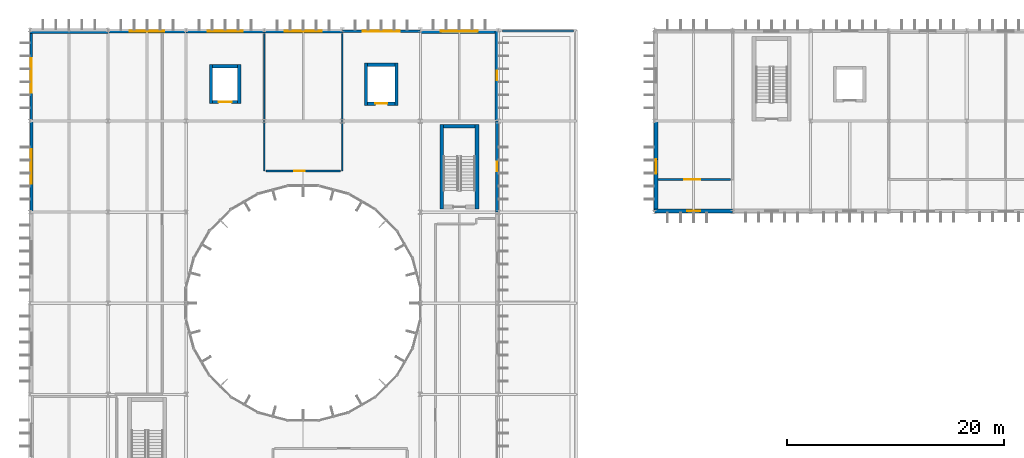
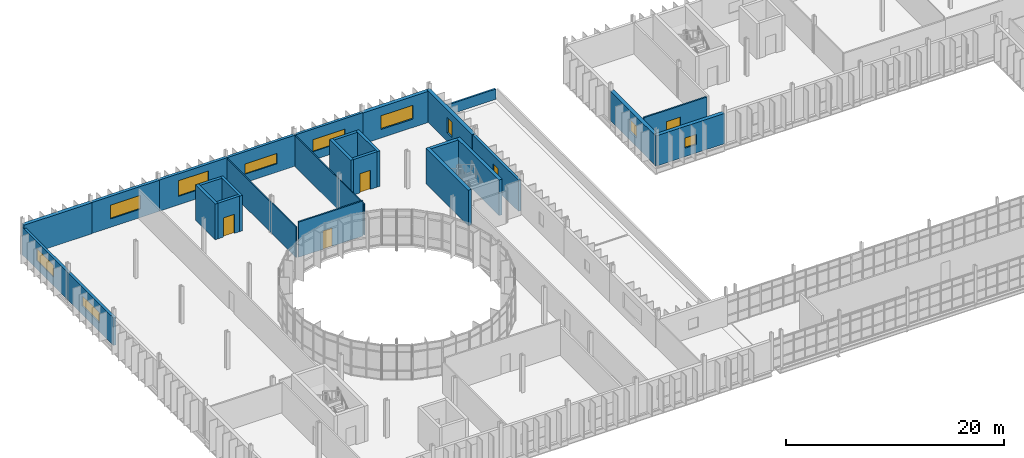
# One storey, part 80 of 99: 28 walls, 11 windows, 4 doors, 15 openings.
"""IFC4 building model written with IfcOpenShell, lengths in metres."""

from ifc_helpers import new_model, si_unit, direction, frame, frame_2d, origin, place, context, subcontext, project, spatial, rectangle, extrude, material, layer, layer_set, type_object, element, fill, save


model = new_model("IFC4")

# Units and contexts
model_context = context("Model", 3, precision=1e-05, world=origin(), true_north=direction((0.0, 1.0)))
body_context = subcontext(model_context, "Body", "Model", "MODEL_VIEW")
ifc_project = project(units=[si_unit("LENGTHUNIT", "METRE"), si_unit("AREAUNIT", "SQUARE_METRE"), si_unit("VOLUMEUNIT", "CUBIC_METRE"), si_unit("PLANEANGLEUNIT", "RADIAN"), si_unit("MASSUNIT", "GRAM", prefix="KILO")], contexts=[model_context])

# Site, building, storey
site_placement = place(None, origin())
site = spatial("IfcSite", under=ifc_project, at=site_placement, CompositionType="ELEMENT")
building_placement = place(site_placement, origin())
building = spatial("IfcBuilding", under=site, at=building_placement, Name="Qelthora Terrace Specialist Clinic", CompositionType="ELEMENT")
storey_placement = place(building_placement, frame((0.0, 0.0, 9.0)))
storey = spatial("IfcBuildingStorey", under=building, at=storey_placement, Name="L02", CompositionType="ELEMENT", Elevation=9.0)

# Walls
ifc_material_1 = material(Name="Concrete C40/50", Category="concrete")
ifc_layer_1 = layer(ifc_material_1, 0.300048828125)
ifc_layer_set_1 = layer_set([ifc_layer_1], Name="Concrete C40/50")
wall_type_1 = type_object("IfcWallType", Name="WAL-CORE-300-C40", PredefinedType="SHEAR", material=ifc_layer_set_1)
for number, where, z_axis, x_axis, name in (
    (1, (31.0, 102.25, 0.0), (0.0, 0.0, 1.0), (0.0, 1.0, 0.0), "Lift SL-02 L02 west shaft wall"),
    (2, (33.800048828125, 102.25, 0.0), (0.0, 0.0, 1.0), (0.0, 1.0, 0.0), "Lift SL-02 L02 east shaft wall"),
):
    element("IfcWall", number, at=place(storey_placement, frame(where, z_axis=z_axis, x_axis=x_axis)), inside=storey, type_object=wall_type_1, Name=name, PredefinedType="SHEAR", context=body_context, shape_type="SweptSolid", body=[
        extrude(rectangle(XDim=3.89990234375, YDim=0.300048828125, at=frame_2d((1.949951171875, 0.0))), origin(), (0.0, 0.0, 1.0), 3.989990234375),
    ])
wall_1_placement = place(storey_placement, frame((31.14990234375, 106.0, 0.0), z_axis=(0.0, 0.0, 1.0), x_axis=(1.0, 0.0, 0.0)))
element("IfcWall", 3, at=wall_1_placement, inside=storey, type_object=wall_type_1, Name="Lift SL-02 L02 north shaft wall", PredefinedType="SHEAR", context=body_context, shape_type="SweptSolid", body=[
    extrude(rectangle(XDim=2.5, YDim=0.300048828125, at=frame_2d((1.25, 0.0))), origin(), (0.0, 0.0, 1.0), 3.989990234375),
])

# Wall, opening, door
wall_2_placement = place(storey_placement, frame((31.14990234375, 102.39990234375, 0.0), z_axis=(0.0, 0.0, 1.0), x_axis=(1.0, 0.0, 0.0)))
wall_2 = element("IfcWall", 4, at=wall_2_placement, inside=storey, type_object=wall_type_1, Name="Lift SL-02 L02 south shaft wall", PredefinedType="SHEAR", context=body_context, shape_type="SweptSolid", body=[
    extrude(rectangle(XDim=2.5, YDim=0.300048828125, at=frame_2d((1.25, 0.0))), origin(), (0.0, 0.0, 1.0), 3.989990234375),
])
opening_1_placement = place(wall_2_placement, frame((0.699951171875, 0.0, 0.0)))
opening_1 = element("IfcOpeningElement", 5, at=opening_1_placement, cuts=wall_2, Name="Opening LD-SL-02-L02", PredefinedType="OPENING", context=body_context, shape_type="SweptSolid", body=[
    extrude(rectangle(XDim=1.10009765625, YDim=2.14990234375, at=frame_2d((0.550048828125, 1.074951171875))), frame((0.0, 0.159912109375, 0.0), z_axis=(0.0, -1.0, 0.0), x_axis=(1.0, 0.0, 0.0)), (0.0, 0.0, 1.0), 0.320068359375),
])
ifc_material_2 = material(Name="Steel S355", Category="steel")
door_type_1 = type_object("IfcDoorType", Name="DOR-LIFT-1100X2150", OperationType="NOTDEFINED", PredefinedType="DOOR", material=ifc_material_2)
door_1_placement = place(opening_1_placement, origin())
door_1 = element("IfcDoor", 6, at=door_1_placement, inside=storey, type_object=door_type_1, Name="Lift landing sliding door LD-SL-02-L02", OperationType="DOUBLE_DOOR_SLIDING", OverallHeight=2.14990234375, OverallWidth=1.10009765625, PredefinedType="DOOR", context=body_context, shape_type="SweptSolid", body=[
    extrude(rectangle(XDim=1.10009765625, YDim=2.14990234375, at=frame_2d((0.550048828125, 1.074951171875))), frame((0.0, 0.02490234375, 0.0), z_axis=(0.0, -1.0, 0.0), x_axis=(1.0, 0.0, 0.0)), (0.0, 0.0, 1.0), 0.050048828125),
])
fill(opening_1, door_1)

# Walls
for number, where, z_axis, x_axis, name in (
    (7, (16.699951171875, 102.39990234375, 0.0), (0.0, 0.0, 1.0), (0.0, 1.0, 0.0), "Lift GL-01 L02 west shaft wall"),
    (8, (19.300048828125, 102.39990234375, 0.0), (0.0, 0.0, 1.0), (0.0, 1.0, 0.0), "Lift GL-01 L02 east shaft wall"),
):
    element("IfcWall", number, at=place(storey_placement, frame(where, z_axis=z_axis, x_axis=x_axis)), inside=storey, type_object=wall_type_1, Name=name, PredefinedType="SHEAR", context=body_context, shape_type="SweptSolid", body=[
        extrude(rectangle(XDim=3.60009765625, YDim=0.300048828125, at=frame_2d((1.800048828125, 0.0))), origin(), (0.0, 0.0, 1.0), 3.989990234375),
    ])
wall_3_placement = place(storey_placement, frame((16.85009765625, 105.85009765625, 0.0), z_axis=(0.0, 0.0, 1.0), x_axis=(1.0, 0.0, 0.0)))
element("IfcWall", 9, at=wall_3_placement, inside=storey, type_object=wall_type_1, Name="Lift GL-01 L02 north shaft wall", PredefinedType="SHEAR", context=body_context, shape_type="SweptSolid", body=[
    extrude(rectangle(XDim=2.2998046875, YDim=0.300048828125, at=frame_2d((1.14990234375, 0.0))), origin(), (0.0, 0.0, 1.0), 3.989990234375),
])

# Wall, opening, door
wall_4_placement = place(storey_placement, frame((16.85009765625, 102.550048828125, 0.0), z_axis=(0.0, 0.0, 1.0), x_axis=(1.0, 0.0, 0.0)))
wall_4 = element("IfcWall", 10, at=wall_4_placement, inside=storey, type_object=wall_type_1, Name="Lift GL-01 L02 south shaft wall", PredefinedType="SHEAR", context=body_context, shape_type="SweptSolid", body=[
    extrude(rectangle(XDim=2.2998046875, YDim=0.300048828125, at=frame_2d((1.14990234375, 0.0))), origin(), (0.0, 0.0, 1.0), 3.989990234375),
])
opening_2_placement = place(wall_4_placement, frame((0.550048828125, 0.0, 0.0)))
opening_2 = element("IfcOpeningElement", 11, at=opening_2_placement, cuts=wall_4, Name="Opening LD-GL-01-L02", PredefinedType="OPENING", context=body_context, shape_type="SweptSolid", body=[
    extrude(rectangle(XDim=1.199951171875, YDim=2.14990234375, at=frame_2d((0.60009765625, 1.074951171875))), frame((0.0, 0.159912109375, 0.0), z_axis=(0.0, -1.0, 0.0), x_axis=(1.0, 0.0, 0.0)), (0.0, 0.0, 1.0), 0.320068359375),
])
door_type_2 = type_object("IfcDoorType", Name="DOR-LIFT-1200X2150", OperationType="NOTDEFINED", PredefinedType="DOOR", material=ifc_material_2)
door_2_placement = place(opening_2_placement, origin())
door_2 = element("IfcDoor", 12, at=door_2_placement, inside=storey, type_object=door_type_2, Name="Lift landing sliding door LD-GL-01-L02", OperationType="DOUBLE_DOOR_SLIDING", OverallHeight=2.14990234375, OverallWidth=1.199951171875, PredefinedType="DOOR", context=body_context, shape_type="SweptSolid", body=[
    extrude(rectangle(XDim=1.199951171875, YDim=2.14990234375, at=frame_2d((0.60009765625, 1.074951171875))), frame((0.0, 0.02490234375, 0.0), z_axis=(0.0, -1.0, 0.0), x_axis=(1.0, 0.0, 0.0)), (0.0, 0.0, 1.0), 0.050048828125),
])
fill(opening_2, door_2)

# Walls
ifc_layer_2 = layer(ifc_material_1, 0.35009765625)
ifc_layer_set_2 = layer_set([ifc_layer_2], Name="Concrete C40/50")
wall_type_2 = type_object("IfcWallType", Name="WAL-CORE-350-C40", PredefinedType="SHEAR", material=ifc_layer_set_2)
for number, where, z_axis, x_axis, name in (
    (13, (37.97509765625, 92.699951171875, 0.0), (0.0, 0.0, 1.0), (0.0, 1.0, 0.0), "ST-02 L02 west shear core wall"),
    (14, (41.22509765625, 92.699951171875, 0.0), (0.0, 0.0, 1.0), (0.0, 1.0, 0.0), "ST-02 L02 east shear core wall"),
):
    element("IfcWall", number, at=place(storey_placement, frame(where, z_axis=z_axis, x_axis=x_axis)), inside=storey, type_object=wall_type_2, Name=name, PredefinedType="SHEAR", context=body_context, shape_type="SweptSolid", body=[
        extrude(rectangle(XDim=7.800048828125, YDim=0.35009765625, at=frame_2d((3.89990234375, 0.0))), origin(), (0.0, 0.0, 1.0), 3.989990234375),
    ])
wall_5_placement = place(storey_placement, frame((38.14990234375, 100.324951171875, 0.0), z_axis=(0.0, 0.0, 1.0), x_axis=(1.0, 0.0, 0.0)))
element("IfcWall", 15, at=wall_5_placement, inside=storey, type_object=wall_type_2, Name="ST-02 L02 north shear core wall", PredefinedType="SHEAR", context=body_context, shape_type="SweptSolid", body=[
    extrude(rectangle(XDim=2.900146484375, YDim=0.35009765625, at=frame_2d((1.4501953125, 0.0))), origin(), (0.0, 0.0, 1.0), 3.989990234375),
])

# Wall, opening, window
ifc_material_3 = material(Name="Precast concrete C40/50", Category="concrete")
ifc_layer_3 = layer(ifc_material_3, 0.260009765625)
ifc_layer_set_3 = layer_set([ifc_layer_3], Name="Precast concrete C40/50")
wall_type_3 = type_object("IfcWallType", Name="WAL-EXT-260-PC40", PredefinedType="SOLIDWALL", material=ifc_layer_set_3)
wall_6_placement = place(storey_placement, frame((0.1201171875, 100.800048828125, 0.0), z_axis=(0.0, 0.0, 1.0), x_axis=(0.0, 1.0, 0.0)))
wall_6 = element("IfcWall", 16, at=wall_6_placement, inside=storey, type_object=wall_type_3, Name="L02 external precast wall 214", PredefinedType="SOLIDWALL", context=body_context, shape_type="SweptSolid", body=[
    extrude(rectangle(XDim=8.39990234375, YDim=0.260009765625, at=frame_2d((4.199951171875, 0.0))), origin(), (0.0, 0.0, 1.0), 3.091064453125),
])
opening_3_placement = place(wall_6_placement, frame((2.60009765625, 0.0, 0.949951171875)))
opening_3 = element("IfcOpeningElement", 17, at=opening_3_placement, cuts=wall_6, Name="Opening WN-L02-182", PredefinedType="OPENING", context=body_context, shape_type="SweptSolid", body=[
    extrude(rectangle(XDim=3.199951171875, YDim=1.35009765625, at=frame_2d((1.60009765625, 0.675048828125))), frame((0.0, 0.139892578125, 0.0), z_axis=(0.0, -1.0, 0.0), x_axis=(1.0, 0.0, 0.0)), (0.0, 0.0, 1.0), 0.280029296875),
])
ifc_material_4 = material(Name="Low-E triple-silver insulating glass", Category="glass")
window_type_1 = type_object("IfcWindowType", Name="WIN-3200X1350", PartitioningType="DOUBLE_PANEL_VERTICAL", PredefinedType="WINDOW", material=ifc_material_4)
window_1_placement = place(opening_3_placement, origin())
window_1 = element("IfcWindow", 18, at=window_1_placement, inside=storey, type_object=window_type_1, Name="Clinical window WN-L02-182", OverallHeight=1.35009765625, OverallWidth=3.199951171875, PartitioningType="SINGLE_PANEL", PredefinedType="WINDOW", context=body_context, shape_type="SweptSolid", body=[
    extrude(rectangle(XDim=3.199951171875, YDim=1.35009765625, at=frame_2d((1.60009765625, 0.675048828125))), frame((0.0, 0.030029296875, 0.0), z_axis=(0.0, -1.0, 0.0), x_axis=(1.0, 0.0, 0.0)), (0.0, 0.0, 1.0), 0.06005859375),
])
fill(opening_3, window_1)

wall_7_placement = place(storey_placement, frame((28.800048828125, 109.080078125, 0.0), z_axis=(0.0, 0.0, 1.0), x_axis=(1.0, 0.0, 0.0)))
wall_7 = element("IfcWall", 19, at=wall_7_placement, inside=storey, type_object=wall_type_3, Name="L02 external precast wall 219", PredefinedType="SOLIDWALL", context=body_context, shape_type="SweptSolid", body=[
    extrude(rectangle(XDim=7.199951171875, YDim=0.260009765625, at=frame_2d((3.60009765625, 0.0))), origin(), (0.0, 0.0, 1.0), 3.48193359375),
])
opening_4_placement = place(wall_7_placement, frame((1.89990234375, 0.0, 0.949951171875)))
opening_4 = element("IfcOpeningElement", 20, at=opening_4_placement, cuts=wall_7, Name="Opening WN-L02-186", PredefinedType="OPENING", context=body_context, shape_type="SweptSolid", body=[
    extrude(rectangle(XDim=3.39990234375, YDim=1.35009765625, at=frame_2d((1.699951171875, 0.675048828125))), frame((0.0, 0.139892578125, 0.0), z_axis=(0.0, -1.0, 0.0), x_axis=(1.0, 0.0, 0.0)), (0.0, 0.0, 1.0), 0.280029296875),
])
window_type_2 = type_object("IfcWindowType", Name="WIN-3400X1350", PartitioningType="DOUBLE_PANEL_VERTICAL", PredefinedType="WINDOW", material=ifc_material_4)
window_2_placement = place(opening_4_placement, origin())
window_2 = element("IfcWindow", 21, at=window_2_placement, inside=storey, type_object=window_type_2, Name="Clinical window WN-L02-186", OverallHeight=1.35009765625, OverallWidth=3.39990234375, PartitioningType="SINGLE_PANEL", PredefinedType="WINDOW", context=body_context, shape_type="SweptSolid", body=[
    extrude(rectangle(XDim=3.39990234375, YDim=1.35009765625, at=frame_2d((1.699951171875, 0.675048828125))), frame((0.0, 0.030029296875, 0.0), z_axis=(0.0, -1.0, 0.0), x_axis=(1.0, 0.0, 0.0)), (0.0, 0.0, 1.0), 0.06005859375),
])
fill(opening_4, window_2)

wall_8_placement = place(storey_placement, frame((43.080078125, 92.39990234375, 0.0), z_axis=(0.0, 0.0, 1.0), x_axis=(0.0, 1.0, 0.0)))
wall_8 = element("IfcWall", 22, at=wall_8_placement, inside=storey, type_object=wall_type_3, Name="L02 external precast wall 224", PredefinedType="SOLIDWALL", context=body_context, shape_type="SweptSolid", body=[
    extrude(rectangle(XDim=8.400146484375, YDim=0.260009765625, at=frame_2d((4.2001953125, 0.0))), origin(), (0.0, 0.0, 1.0), 3.48193359375),
])
opening_5_placement = place(wall_8_placement, frame((3.75, 0.0, 0.949951171875)))
opening_5 = element("IfcOpeningElement", 23, at=opening_5_placement, cuts=wall_8, Name="Opening WN-L02-191", PredefinedType="OPENING", context=body_context, shape_type="SweptSolid", body=[
    extrude(rectangle(XDim=0.89990234375, YDim=1.550048828125, at=frame_2d((0.449951171875, 0.77490234375))), frame((0.0, 0.139892578125, 0.0), z_axis=(0.0, -1.0, 0.0), x_axis=(1.0, 0.0, 0.0)), (0.0, 0.0, 1.0), 0.280029296875),
])
window_type_3 = type_object("IfcWindowType", Name="WIN-900X1550", PartitioningType="SINGLE_PANEL", PredefinedType="WINDOW", material=ifc_material_4)
window_3_placement = place(opening_5_placement, origin())
window_3 = element("IfcWindow", 24, at=window_3_placement, inside=storey, type_object=window_type_3, Name="Clinical window WN-L02-191", OverallHeight=1.550048828125, OverallWidth=0.89990234375, PartitioningType="SINGLE_PANEL", PredefinedType="WINDOW", context=body_context, shape_type="SweptSolid", body=[
    extrude(rectangle(XDim=0.89990234375, YDim=1.550048828125, at=frame_2d((0.449951171875, 0.77490234375))), frame((0.0, 0.030029296875, 0.0), z_axis=(0.0, -1.0, 0.0), x_axis=(1.0, 0.0, 0.0)), (0.0, 0.0, 1.0), 0.06005859375),
])
fill(opening_5, window_3)

ifc_layer_4 = layer(ifc_material_3, 0.280029296875)
ifc_layer_set_4 = layer_set([ifc_layer_4], Name="Precast concrete C40/50")
wall_type_4 = type_object("IfcWallType", Name="WAL-EXT-280-PC40", PredefinedType="SOLIDWALL", material=ifc_layer_set_4)
wall_9_placement = place(storey_placement, frame((0.1201171875, 92.39990234375, 0.0), z_axis=(0.0, 0.0, 1.0), x_axis=(0.0, 1.0, 0.0)))
wall_9 = element("IfcWall", 25, at=wall_9_placement, inside=storey, type_object=wall_type_4, Name="L02 external precast wall 213", PredefinedType="SOLIDWALL", context=body_context, shape_type="SweptSolid", body=[
    extrude(rectangle(XDim=8.400146484375, YDim=0.280029296875, at=frame_2d((4.2001953125, 0.0))), origin(), (0.0, 0.0, 1.0), 3.091064453125),
])
opening_6_placement = place(wall_9_placement, frame((2.60009765625, 0.0, 0.949951171875)))
opening_6 = element("IfcOpeningElement", 26, at=opening_6_placement, cuts=wall_9, Name="Opening WN-L02-181", PredefinedType="OPENING", context=body_context, shape_type="SweptSolid", body=[
    extrude(rectangle(XDim=3.199951171875, YDim=1.14990234375, at=frame_2d((1.60009765625, 0.574951171875))), frame((0.0, 0.14990234375, 0.0), z_axis=(0.0, -1.0, 0.0), x_axis=(1.0, 0.0, 0.0)), (0.0, 0.0, 1.0), 0.300048828125),
])
window_type_4 = type_object("IfcWindowType", Name="WIN-3200X1150", PartitioningType="DOUBLE_PANEL_VERTICAL", PredefinedType="WINDOW", material=ifc_material_4)
window_4_placement = place(opening_6_placement, origin())
window_4 = element("IfcWindow", 27, at=window_4_placement, inside=storey, type_object=window_type_4, Name="Clinical window WN-L02-181", OverallHeight=1.14990234375, OverallWidth=3.199951171875, PartitioningType="SINGLE_PANEL", PredefinedType="WINDOW", context=body_context, shape_type="SweptSolid", body=[
    extrude(rectangle(XDim=3.199951171875, YDim=1.14990234375, at=frame_2d((1.60009765625, 0.574951171875))), frame((0.0, 0.030029296875, 0.0), z_axis=(0.0, -1.0, 0.0), x_axis=(1.0, 0.0, 0.0)), (0.0, 0.0, 1.0), 0.06005859375),
])
fill(opening_6, window_4)

wall_10_placement = place(storey_placement, frame((21.60009765625, 109.080078125, 0.0), z_axis=(0.0, 0.0, 1.0), x_axis=(1.0, 0.0, 0.0)))
wall_10 = element("IfcWall", 28, at=wall_10_placement, inside=storey, type_object=wall_type_4, Name="L02 external precast wall 218", PredefinedType="SOLIDWALL", context=body_context, shape_type="SweptSolid", body=[
    extrude(rectangle(XDim=7.199951171875, YDim=0.280029296875, at=frame_2d((3.60009765625, 0.0))), origin(), (0.0, 0.0, 1.0), 3.48193359375),
])
opening_7_placement = place(wall_10_placement, frame((1.89990234375, 0.0, 0.949951171875)))
opening_7 = element("IfcOpeningElement", 29, at=opening_7_placement, cuts=wall_10, Name="Opening WN-L02-185", PredefinedType="OPENING", context=body_context, shape_type="SweptSolid", body=[
    extrude(rectangle(XDim=3.39990234375, YDim=1.14990234375, at=frame_2d((1.699951171875, 0.574951171875))), frame((0.0, 0.14990234375, 0.0), z_axis=(0.0, -1.0, 0.0), x_axis=(1.0, 0.0, 0.0)), (0.0, 0.0, 1.0), 0.300048828125),
])
window_type_5 = type_object("IfcWindowType", Name="WIN-3400X1150", PartitioningType="DOUBLE_PANEL_VERTICAL", PredefinedType="WINDOW", material=ifc_material_4)
window_5_placement = place(opening_7_placement, origin())
window_5 = element("IfcWindow", 30, at=window_5_placement, inside=storey, type_object=window_type_5, Name="Clinical window WN-L02-185", OverallHeight=1.14990234375, OverallWidth=3.39990234375, PartitioningType="SINGLE_PANEL", PredefinedType="WINDOW", context=body_context, shape_type="SweptSolid", body=[
    extrude(rectangle(XDim=3.39990234375, YDim=1.14990234375, at=frame_2d((1.699951171875, 0.574951171875))), frame((0.0, 0.030029296875, 0.0), z_axis=(0.0, -1.0, 0.0), x_axis=(1.0, 0.0, 0.0)), (0.0, 0.0, 1.0), 0.06005859375),
])
fill(opening_7, window_5)

ifc_layer_5 = layer(ifc_material_3, 0.300048828125)
ifc_layer_set_5 = layer_set([ifc_layer_5], Name="Precast concrete C40/50")
wall_type_5 = type_object("IfcWallType", Name="WAL-EXT-300-PC40", PredefinedType="SOLIDWALL", material=ifc_layer_set_5)
wall_11_placement = place(storey_placement, frame((14.39990234375, 109.080078125, 0.0), z_axis=(0.0, 0.0, 1.0), x_axis=(1.0, 0.0, 0.0)))
wall_11 = element("IfcWall", 31, at=wall_11_placement, inside=storey, type_object=wall_type_5, Name="L02 external precast wall 217", PredefinedType="SOLIDWALL", context=body_context, shape_type="SweptSolid", body=[
    extrude(rectangle(XDim=7.2001953125, YDim=0.300048828125, at=frame_2d((3.60009765625, 0.0))), origin(), (0.0, 0.0, 1.0), 3.48193359375),
])
opening_8_placement = place(wall_11_placement, frame((2.0, 0.0, 0.949951171875)))
opening_8 = element("IfcOpeningElement", 32, at=opening_8_placement, cuts=wall_11, Name="Opening WN-L02-184", PredefinedType="OPENING", context=body_context, shape_type="SweptSolid", body=[
    extrude(rectangle(XDim=3.199951171875, YDim=1.75, at=frame_2d((1.60009765625, 0.875))), frame((0.0, 0.159912109375, 0.0), z_axis=(0.0, -1.0, 0.0), x_axis=(1.0, 0.0, 0.0)), (0.0, 0.0, 1.0), 0.320068359375),
])
window_type_6 = type_object("IfcWindowType", Name="WIN-3200X1750", PartitioningType="DOUBLE_PANEL_VERTICAL", PredefinedType="WINDOW", material=ifc_material_4)
window_6_placement = place(opening_8_placement, origin())
window_6 = element("IfcWindow", 33, at=window_6_placement, inside=storey, type_object=window_type_6, Name="Clinical window WN-L02-184", OverallHeight=1.75, OverallWidth=3.199951171875, PartitioningType="SINGLE_PANEL", PredefinedType="WINDOW", context=body_context, shape_type="SweptSolid", body=[
    extrude(rectangle(XDim=3.199951171875, YDim=1.75, at=frame_2d((1.60009765625, 0.875))), frame((0.0, 0.030029296875, 0.0), z_axis=(0.0, -1.0, 0.0), x_axis=(1.0, 0.0, 0.0)), (0.0, 0.0, 1.0), 0.06005859375),
])
fill(opening_8, window_6)

ifc_layer_6 = layer(ifc_material_3, 0.320068359375)
ifc_layer_set_6 = layer_set([ifc_layer_6], Name="Precast concrete C40/50")
wall_type_6 = type_object("IfcWallType", Name="WAL-EXT-320-PC40", PredefinedType="SOLIDWALL", material=ifc_layer_set_6)
wall_12_placement = place(storey_placement, frame((7.199951171875, 109.080078125, 0.0), z_axis=(0.0, 0.0, 1.0), x_axis=(1.0, 0.0, 0.0)))
wall_12 = element("IfcWall", 34, at=wall_12_placement, inside=storey, type_object=wall_type_6, Name="L02 external precast wall 216", PredefinedType="SOLIDWALL", context=body_context, shape_type="SweptSolid", body=[
    extrude(rectangle(XDim=7.199951171875, YDim=0.320068359375, at=frame_2d((3.60009765625, 0.0))), origin(), (0.0, 0.0, 1.0), 3.48193359375),
])
opening_9_placement = place(wall_12_placement, frame((2.0, 0.0, 0.949951171875)))
opening_9 = element("IfcOpeningElement", 35, at=opening_9_placement, cuts=wall_12, Name="Opening WN-L02-183", PredefinedType="OPENING", context=body_context, shape_type="SweptSolid", body=[
    extrude(rectangle(XDim=3.199951171875, YDim=1.550048828125, at=frame_2d((1.60009765625, 0.77490234375))), frame((0.0, 0.169921875, 0.0), z_axis=(0.0, -1.0, 0.0), x_axis=(1.0, 0.0, 0.0)), (0.0, 0.0, 1.0), 0.340087890625),
])
window_type_7 = type_object("IfcWindowType", Name="WIN-3200X1550", PartitioningType="DOUBLE_PANEL_VERTICAL", PredefinedType="WINDOW", material=ifc_material_4)
window_7_placement = place(opening_9_placement, origin())
window_7 = element("IfcWindow", 36, at=window_7_placement, inside=storey, type_object=window_type_7, Name="Clinical window WN-L02-183", OverallHeight=1.550048828125, OverallWidth=3.199951171875, PartitioningType="SINGLE_PANEL", PredefinedType="WINDOW", context=body_context, shape_type="SweptSolid", body=[
    extrude(rectangle(XDim=3.199951171875, YDim=1.550048828125, at=frame_2d((1.60009765625, 0.77490234375))), frame((0.0, 0.030029296875, 0.0), z_axis=(0.0, -1.0, 0.0), x_axis=(1.0, 0.0, 0.0)), (0.0, 0.0, 1.0), 0.06005859375),
])
fill(opening_9, window_7)

# Wall
ifc_layer_7 = layer(ifc_material_3, 0.3798828125)
ifc_layer_set_7 = layer_set([ifc_layer_7], Name="Precast concrete C40/50")
wall_type_7 = type_object("IfcWallType", Name="WAL-EXT-380-PC40", PredefinedType="SOLIDWALL", material=ifc_layer_set_7)
wall_13_placement = place(storey_placement, frame((0.0, 109.080078125, 0.0), z_axis=(0.0, 0.0, 1.0), x_axis=(1.0, 0.0, 0.0)))
element("IfcWall", 37, at=wall_13_placement, inside=storey, type_object=wall_type_7, Name="L02 external precast wall 215", PredefinedType="SOLIDWALL", context=body_context, shape_type="SweptSolid", body=[
    extrude(rectangle(XDim=7.199951171875, YDim=0.3798828125, at=frame_2d((3.60009765625, 0.0))), origin(), (0.0, 0.0, 1.0), 3.48193359375),
])

# Wall, opening, window
wall_14_placement = place(storey_placement, frame((36.0, 109.080078125, 0.0), z_axis=(0.0, 0.0, 1.0), x_axis=(1.0, 0.0, 0.0)))
wall_14 = element("IfcWall", 38, at=wall_14_placement, inside=storey, type_object=wall_type_7, Name="L02 external precast wall 220", PredefinedType="SOLIDWALL", context=body_context, shape_type="SweptSolid", body=[
    extrude(rectangle(XDim=7.199951171875, YDim=0.3798828125, at=frame_2d((3.60009765625, 0.0))), origin(), (0.0, 0.0, 1.0), 3.48193359375),
])
opening_10_placement = place(wall_14_placement, frame((1.89990234375, 0.0, 0.949951171875)))
opening_10 = element("IfcOpeningElement", 39, at=opening_10_placement, cuts=wall_14, Name="Opening WN-L02-187", PredefinedType="OPENING", context=body_context, shape_type="SweptSolid", body=[
    extrude(rectangle(XDim=3.39990234375, YDim=1.550048828125, at=frame_2d((1.699951171875, 0.77490234375))), frame((0.0, 0.199951171875, 0.0), z_axis=(0.0, -1.0, 0.0), x_axis=(1.0, 0.0, 0.0)), (0.0, 0.0, 1.0), 0.39990234375),
])
window_type_8 = type_object("IfcWindowType", Name="WIN-3400X1550", PartitioningType="DOUBLE_PANEL_VERTICAL", PredefinedType="WINDOW", material=ifc_material_4)
window_8_placement = place(opening_10_placement, origin())
window_8 = element("IfcWindow", 40, at=window_8_placement, inside=storey, type_object=window_type_8, Name="Clinical window WN-L02-187", OverallHeight=1.550048828125, OverallWidth=3.39990234375, PartitioningType="SINGLE_PANEL", PredefinedType="WINDOW", context=body_context, shape_type="SweptSolid", body=[
    extrude(rectangle(XDim=3.39990234375, YDim=1.550048828125, at=frame_2d((1.699951171875, 0.77490234375))), frame((0.0, 0.030029296875, 0.0), z_axis=(0.0, -1.0, 0.0), x_axis=(1.0, 0.0, 0.0)), (0.0, 0.0, 1.0), 0.06005859375),
])
fill(opening_10, window_8)

wall_15_placement = place(storey_placement, frame((43.080078125, 100.800048828125, 0.0), z_axis=(0.0, 0.0, 1.0), x_axis=(0.0, 1.0, 0.0)))
wall_15 = element("IfcWall", 41, at=wall_15_placement, inside=storey, type_object=wall_type_7, Name="L02 external precast wall 225", PredefinedType="SOLIDWALL", context=body_context, shape_type="SweptSolid", body=[
    extrude(rectangle(XDim=8.39990234375, YDim=0.3798828125, at=frame_2d((4.199951171875, 0.0))), origin(), (0.0, 0.0, 1.0), 3.529052734375),
])
opening_11_placement = place(wall_15_placement, frame((3.75, 0.0, 0.949951171875)))
opening_11 = element("IfcOpeningElement", 42, at=opening_11_placement, cuts=wall_15, Name="Opening WN-L02-192", PredefinedType="OPENING", context=body_context, shape_type="SweptSolid", body=[
    extrude(rectangle(XDim=0.89990234375, YDim=1.75, at=frame_2d((0.449951171875, 0.875))), frame((0.0, 0.199951171875, 0.0), z_axis=(0.0, -1.0, 0.0), x_axis=(1.0, 0.0, 0.0)), (0.0, 0.0, 1.0), 0.39990234375),
])
window_type_9 = type_object("IfcWindowType", Name="WIN-900X1750", PartitioningType="SINGLE_PANEL", PredefinedType="WINDOW", material=ifc_material_4)
window_9_placement = place(opening_11_placement, origin())
window_9 = element("IfcWindow", 43, at=window_9_placement, inside=storey, type_object=window_type_9, Name="Clinical window WN-L02-192", OverallHeight=1.75, OverallWidth=0.89990234375, PartitioningType="SINGLE_PANEL", PredefinedType="WINDOW", context=body_context, shape_type="SweptSolid", body=[
    extrude(rectangle(XDim=0.89990234375, YDim=1.75, at=frame_2d((0.449951171875, 0.875))), frame((0.0, 0.030029296875, 0.0), z_axis=(0.0, -1.0, 0.0), x_axis=(1.0, 0.0, 0.0)), (0.0, 0.0, 1.0), 0.06005859375),
])
fill(opening_11, window_9)

wall_16_placement = place(storey_placement, frame((57.60009765625, 92.52001953125, 0.0), z_axis=(0.0, 0.0, 1.0), x_axis=(1.0, 0.0, 0.0)))
wall_16 = element("IfcWall", 44, at=wall_16_placement, inside=storey, type_object=wall_type_7, Name="L02 external precast wall 230", PredefinedType="SOLIDWALL", context=body_context, shape_type="SweptSolid", body=[
    extrude(rectangle(XDim=7.199951171875, YDim=0.3798828125, at=frame_2d((3.60009765625, 0.0))), origin(), (0.0, 0.0, 1.0), 3.39794921875),
])
opening_12_placement = place(wall_16_placement, frame((3.0, 0.0, 0.949951171875)))
opening_12 = element("IfcOpeningElement", 45, at=opening_12_placement, cuts=wall_16, Name="Opening WN-L02-197", PredefinedType="OPENING", context=body_context, shape_type="SweptSolid", body=[
    extrude(rectangle(XDim=1.199951171875, YDim=1.14990234375, at=frame_2d((0.60009765625, 0.574951171875))), frame((0.0, 0.199951171875, 0.0), z_axis=(0.0, -1.0, 0.0), x_axis=(1.0, 0.0, 0.0)), (0.0, 0.0, 1.0), 0.39990234375),
])
window_type_10 = type_object("IfcWindowType", Name="WIN-1200X1150", PartitioningType="SINGLE_PANEL", PredefinedType="WINDOW", material=ifc_material_4)
window_10_placement = place(opening_12_placement, origin())
window_10 = element("IfcWindow", 46, at=window_10_placement, inside=storey, type_object=window_type_10, Name="Clinical window WN-L02-197", OverallHeight=1.14990234375, OverallWidth=1.199951171875, PartitioningType="SINGLE_PANEL", PredefinedType="WINDOW", context=body_context, shape_type="SweptSolid", body=[
    extrude(rectangle(XDim=1.199951171875, YDim=1.14990234375, at=frame_2d((0.60009765625, 0.574951171875))), frame((0.0, 0.030029296875, 0.0), z_axis=(0.0, -1.0, 0.0), x_axis=(1.0, 0.0, 0.0)), (0.0, 0.0, 1.0), 0.06005859375),
])
fill(opening_12, window_10)

wall_17_placement = place(storey_placement, frame((57.719970703125, 92.39990234375, 0.0), z_axis=(0.0, 0.0, 1.0), x_axis=(0.0, 1.0, 0.0)))
wall_17 = element("IfcWall", 47, at=wall_17_placement, inside=storey, type_object=wall_type_7, Name="L02 external precast wall 235", PredefinedType="SOLIDWALL", context=body_context, shape_type="SweptSolid", body=[
    extrude(rectangle(XDim=8.400146484375, YDim=0.3798828125, at=frame_2d((4.2001953125, 0.0))), origin(), (0.0, 0.0, 1.0), 3.324951171875),
])
opening_13_placement = place(wall_17_placement, frame((3.52490234375, 0.0, 0.949951171875)))
opening_13 = element("IfcOpeningElement", 48, at=opening_13_placement, cuts=wall_17, Name="Opening WN-L02-202", PredefinedType="OPENING", context=body_context, shape_type="SweptSolid", body=[
    extrude(rectangle(XDim=1.35009765625, YDim=1.35009765625, at=frame_2d((0.675048828125, 0.675048828125))), frame((0.0, 0.199951171875, 0.0), z_axis=(0.0, -1.0, 0.0), x_axis=(1.0, 0.0, 0.0)), (0.0, 0.0, 1.0), 0.39990234375),
])
window_type_11 = type_object("IfcWindowType", Name="WIN-1350X1350", PartitioningType="SINGLE_PANEL", PredefinedType="WINDOW", material=ifc_material_4)
window_11_placement = place(opening_13_placement, origin())
window_11 = element("IfcWindow", 49, at=window_11_placement, inside=storey, type_object=window_type_11, Name="Clinical window WN-L02-202", OverallHeight=1.35009765625, OverallWidth=1.35009765625, PartitioningType="SINGLE_PANEL", PredefinedType="WINDOW", context=body_context, shape_type="SweptSolid", body=[
    extrude(rectangle(XDim=1.35009765625, YDim=1.35009765625, at=frame_2d((0.675048828125, 0.675048828125))), frame((0.0, 0.030029296875, 0.0), z_axis=(0.0, -1.0, 0.0), x_axis=(1.0, 0.0, 0.0)), (0.0, 0.0, 1.0), 0.06005859375),
])
fill(opening_13, window_11)

# Wall, opening, door
ifc_material_5 = material(Name="Gypsum fire-rated wallboard", Category="gypsum")
ifc_layer_8 = layer(ifc_material_5, 0.159912109375)
ifc_layer_set_8 = layer_set([ifc_layer_8], Name="Gypsum fire-rated wallboard")
wall_type_8 = type_object("IfcWallType", Name="WAL-INT-COR-160", PredefinedType="PARTITIONING", material=ifc_layer_set_8)
wall_18_placement = place(storey_placement, frame((28.6201171875, 96.199951171875, 0.0), z_axis=(0.0, 0.0, 1.0), x_axis=(-1.0, 0.0, 0.0)))
wall_18 = element("IfcWall", 50, at=wall_18_placement, inside=storey, type_object=wall_type_8, Name="Interior clinical partition IWAL-L02-0308", PredefinedType="PARTITIONING", context=body_context, shape_type="SweptSolid", body=[
    extrude(rectangle(XDim=6.840087890625, YDim=0.159912109375, at=frame_2d((3.419921875, 0.0))), origin(), (0.0, 0.0, 1.0), 3.945068359375),
])
opening_14_placement = place(wall_18_placement, frame((3.2900390625, 0.0, 0.0)))
opening_14 = element("IfcOpeningElement", 51, at=opening_14_placement, cuts=wall_18, Name="Opening DI-L02-0121", PredefinedType="OPENING", context=body_context, shape_type="SweptSolid", body=[
    extrude(rectangle(XDim=0.97998046875, YDim=2.050048828125, at=frame_2d((0.489990234375, 1.02490234375))), frame((0.0, 0.08984375, 0.0), z_axis=(0.0, -1.0, 0.0), x_axis=(1.0, 0.0, 0.0)), (0.0, 0.0, 1.0), 0.179931640625),
])
ifc_material_6 = material(Name="Glulam timber GL28h", Category="wood")
door_type_3 = type_object("IfcDoorType", Name="DOR-CON-980X2050", OperationType="NOTDEFINED", PredefinedType="DOOR", material=ifc_material_6)
door_3_placement = place(opening_14_placement, frame((0.97998046875, 0.0, 0.0), z_axis=(0.0, 0.0, 1.0), x_axis=(-1.0, 0.0, 0.0)))
door_3 = element("IfcDoor", 52, at=door_3_placement, inside=storey, type_object=door_type_3, Name="Interior clinical door DI-L02-0121", OperationType="SINGLE_SWING_RIGHT", OverallHeight=2.050048828125, OverallWidth=0.97998046875, PredefinedType="DOOR", context=body_context, shape_type="SweptSolid", body=[
    extrude(rectangle(XDim=0.97998046875, YDim=2.050048828125, at=frame_2d((0.489990234375, 1.02490234375))), frame((0.0, 0.02490234375, 0.0), z_axis=(0.0, -1.0, 0.0), x_axis=(1.0, 0.0, 0.0)), (0.0, 0.0, 1.0), 0.050048828125),
])
fill(opening_14, door_3)

wall_19_placement = place(storey_placement, frame((64.6201171875, 95.39990234375, 0.0), z_axis=(0.0, 0.0, 1.0), x_axis=(-1.0, 0.0, 0.0)))
wall_19 = element("IfcWall", 53, at=wall_19_placement, inside=storey, type_object=wall_type_8, Name="Interior clinical partition IWAL-L02-0318", PredefinedType="PARTITIONING", context=body_context, shape_type="SweptSolid", body=[
    extrude(rectangle(XDim=6.68017578125, YDim=0.159912109375, at=frame_2d((3.340087890625, 0.0))), origin(), (0.0, 0.0, 1.0), 3.47900390625),
])
opening_15_placement = place(wall_19_placement, frame((2.81494140625, 0.0, 0.0)))
opening_15 = element("IfcOpeningElement", 54, at=opening_15_placement, cuts=wall_19, Name="Opening DI-L02-0126", PredefinedType="OPENING", context=body_context, shape_type="SweptSolid", body=[
    extrude(rectangle(XDim=1.449951171875, YDim=2.199951171875, at=frame_2d((0.72509765625, 1.10009765625))), frame((0.0, 0.08984375, 0.0), z_axis=(0.0, -1.0, 0.0), x_axis=(1.0, 0.0, 0.0)), (0.0, 0.0, 1.0), 0.179931640625),
])
door_type_4 = type_object("IfcDoorType", Name="DOR-LAB-1450X2200", OperationType="NOTDEFINED", PredefinedType="DOOR", material=ifc_material_2)
door_4_placement = place(opening_15_placement, frame((1.449951171875, 0.0, 0.0), z_axis=(0.0, 0.0, 1.0), x_axis=(-1.0, 0.0, 0.0)))
door_4 = element("IfcDoor", 55, at=door_4_placement, inside=storey, type_object=door_type_4, Name="Interior clinical door DI-L02-0126", OperationType="SINGLE_SWING_LEFT", OverallHeight=2.199951171875, OverallWidth=1.449951171875, PredefinedType="DOOR", context=body_context, shape_type="SweptSolid", body=[
    extrude(rectangle(XDim=1.449951171875, YDim=2.199951171875, at=frame_2d((0.72509765625, 1.10009765625))), frame((0.0, 0.02490234375, 0.0), z_axis=(0.0, -1.0, 0.0), x_axis=(1.0, 0.0, 0.0)), (0.0, 0.0, 1.0), 0.050048828125),
])
fill(opening_15, door_4)

# Walls
ifc_layer_9 = layer(ifc_material_4, 0.110107421875)
ifc_layer_set_9 = layer_set([ifc_layer_9], Name="Low-E triple-silver insulating glass")
wall_type_9 = type_object("IfcWallType", Name="WAL-INT-GLA-110", PredefinedType="MOVABLE", material=ifc_layer_set_9)
wall_20_placement = place(storey_placement, frame((28.800048828125, 108.860107421875, 0.0), z_axis=(0.0, 0.0, 1.0), x_axis=(0.0, -1.0, 0.0)))
element("IfcWall", 56, at=wall_20_placement, inside=storey, type_object=wall_type_9, Name="Interior clinical partition IWAL-L02-0307", PredefinedType="MOVABLE", context=body_context, shape_type="SweptSolid", body=[
    extrude(rectangle(XDim=12.66015625, YDim=0.110107421875, at=frame_2d((6.330078125, 0.0))), origin(), (0.0, 0.0, 1.0), 3.47900390625),
])
ifc_material_7 = material(Name="Gypsum acoustic wallboard", Category="gypsum")
ifc_layer_10 = layer(ifc_material_7, 0.1201171875)
ifc_layer_set_10 = layer_set([ifc_layer_10], Name="Gypsum acoustic wallboard")
wall_type_10 = type_object("IfcWallType", Name="WAL-INT-STD-120", PredefinedType="PARTITIONING", material=ifc_layer_set_10)
wall_21_placement = place(storey_placement, frame((21.60009765625, 96.199951171875, 0.0), z_axis=(0.0, 0.0, 1.0), x_axis=(0.0, 1.0, 0.0)))
element("IfcWall", 57, at=wall_21_placement, inside=storey, type_object=wall_type_10, Name="Interior clinical partition IWAL-L02-0306", PredefinedType="PARTITIONING", context=body_context, shape_type="SweptSolid", body=[
    extrude(rectangle(XDim=12.66015625, YDim=0.1201171875, at=frame_2d((6.330078125, 0.0))), origin(), (0.0, 0.0, 1.0), 3.407958984375),
])
ifc_layer_11 = layer(ifc_material_3, 0.18994140625)
ifc_layer_set_11 = layer_set([ifc_layer_11], Name="Precast concrete C40/50")
wall_type_11 = type_object("IfcWallType", Name="WAL-PAR-190-PC40", PredefinedType="PARAPET", material=ifc_layer_set_11)
wall_22_placement = place(storey_placement, frame((43.569580078125, 109.090087890625, 0.0), z_axis=(0.0, 0.0, 1.0), x_axis=(1.0, 0.0, 0.0)))
element("IfcWall", 58, at=wall_22_placement, inside=storey, type_object=wall_type_11, Name="Roof perimeter parapet ROOF-V5-STP2-1-2", PredefinedType="PARAPET", context=body_context, shape_type="SweptSolid", body=[
    extrude(rectangle(XDim=6.553466796875, YDim=0.18994140625, at=frame_2d((3.27685546875, 0.0))), origin(), (0.0, 0.0, 1.0), 1.14990234375),
])

save(model, "model.ifc")
